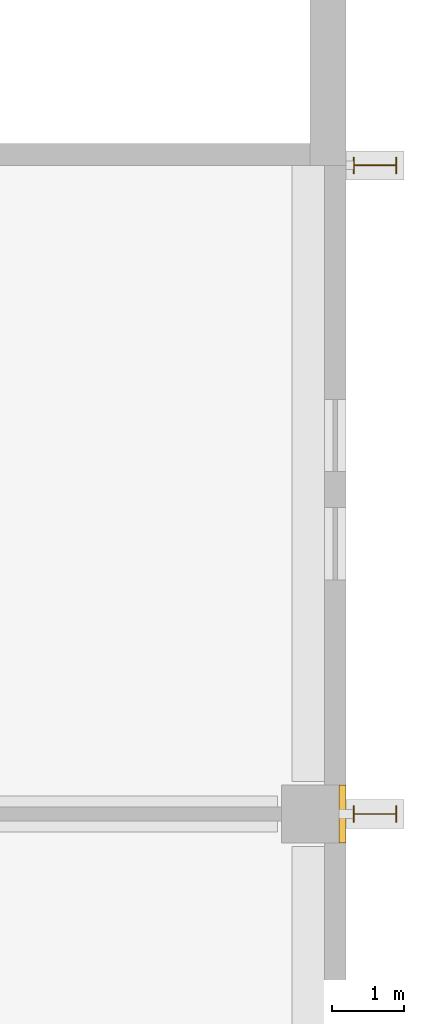
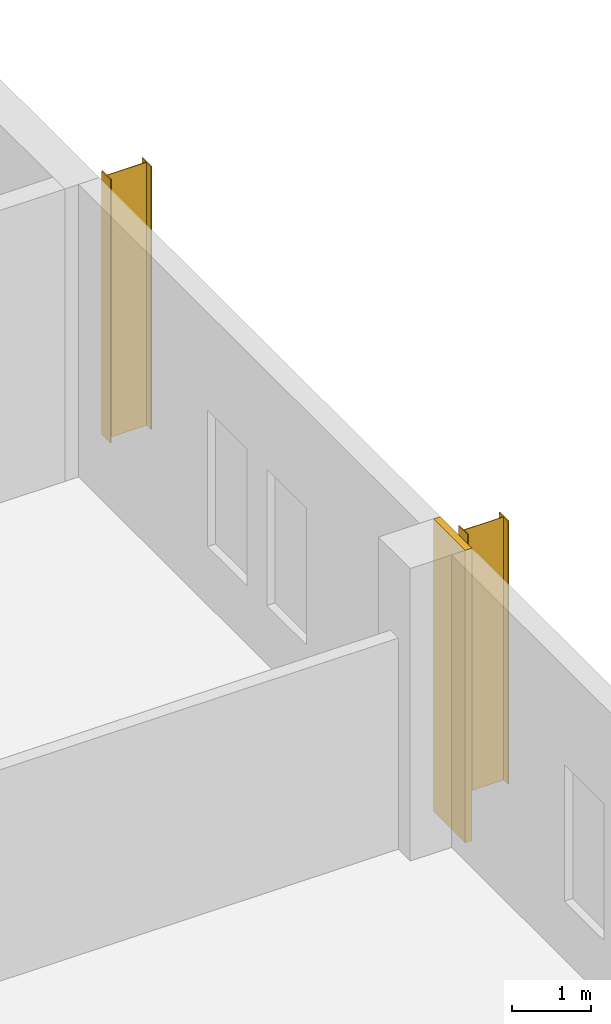
# One storey, part 157 of 168: 2 shading devices, 1 covering.
"""IFC4 building model written with IfcOpenShell, lengths in metres."""

from ifc_helpers import new_model, si_unit, direction, frame, origin, origin_2d, place, context, subcontext, project, spatial, polyline, i_section, outline, extrude, material, layer, layer_set, material_profile, profile_set, type_object, element, save


model = new_model("IFC4")

# Units and contexts
model_context = context("Model", 3, precision=1e-05, world=origin(), true_north=direction((0.0, 1.0)))
body_context = subcontext(model_context, "Body", "Model", "MODEL_VIEW")
ifc_project = project(units=[si_unit("LENGTHUNIT", "METRE"), si_unit("AREAUNIT", "SQUARE_METRE"), si_unit("VOLUMEUNIT", "CUBIC_METRE"), si_unit("PLANEANGLEUNIT", "RADIAN"), si_unit("MASSUNIT", "GRAM", prefix="KILO")], contexts=[model_context])

# Site, building, storey
site_placement = place(None, origin())
site = spatial("IfcSite", under=ifc_project, at=site_placement, CompositionType="ELEMENT")
building_placement = place(site_placement, origin())
building = spatial("IfcBuilding", under=site, at=building_placement, Name="Silverbay Arena", CompositionType="ELEMENT")
storey_placement = place(building_placement, frame((0.0, 0.0, 7.0)))
storey = spatial("IfcBuildingStorey", under=building, at=storey_placement, Name="L01", CompositionType="ELEMENT", Elevation=7.0)

# Covering
ifc_material_1 = material(Name="Aluminium composite cladding", Category="aluminium")
ifc_layer = layer(ifc_material_1, 0.10009765625)
ifc_layer_set = layer_set([ifc_layer], Name="Aluminium composite cladding")
covering_type = type_object("IfcCoveringType", Name="Column cladding 100", PredefinedType="CLADDING", material=ifc_layer_set)
covering_placement = place(storey_placement, origin())
element("IfcCovering", 1, at=covering_placement, inside=storey, type_object=covering_type, Name="East column cladding L01 92", PredefinedType="CLADDING", context=body_context, shape_type="SweptSolid", body=[
    extrude(outline(polyline([(234.39990234375, 116.60009765625), (234.5, 116.60009765625), (234.5, 117.39990234375), (234.39990234375, 117.39990234375), (234.39990234375, 116.60009765625)])), origin(), (0.0, 0.0, 1.0), 4.5),
])

# Shading devices
ifc_material_2 = material(Name="Steel S355", Category="steel")
ifc_material_profile = material_profile(ifc_material_2, i_section(OverallWidth=0.2275390625, OverallDepth=0.6025390625, WebThickness=0.010498046875, FlangeThickness=0.014892578125, at=origin_2d()), Name="UB 610x229x101")
ifc_profile_set = profile_set([ifc_material_profile], Name="Steel S355")
shading_device_type = type_object("IfcShadingDeviceType", Name="Steel fin UB 610x229x101", PredefinedType="USERDEFINED", material=ifc_profile_set)
for number, where, z_axis, x_axis, name in (
    (2, (234.9013671875, 117.0, 0.449951171875), (0.0, 0.0, 1.0), (0.0, 1.0, 0.0), "Steel fin E L01 22"),
    (3, (234.9013671875, 126.0, 0.449951171875), (0.0, 0.0, 1.0), (0.0, 1.0, 0.0), "Steel fin E L01 24"),
):
    element("IfcShadingDevice", number, at=place(storey_placement, frame(where, z_axis=z_axis, x_axis=x_axis)), inside=storey, type_object=shading_device_type, Name=name, ObjectType="FIN", PredefinedType="USERDEFINED", context=body_context, shape_type="SweptSolid", body=[
        extrude(i_section(OverallWidth=0.2275390625, OverallDepth=0.6025390625, WebThickness=0.010498046875, FlangeThickness=0.014892578125, at=origin_2d()), origin(), (0.0, 0.0, 1.0), 4.050048828125),
    ])

save(model, "model.ifc")
